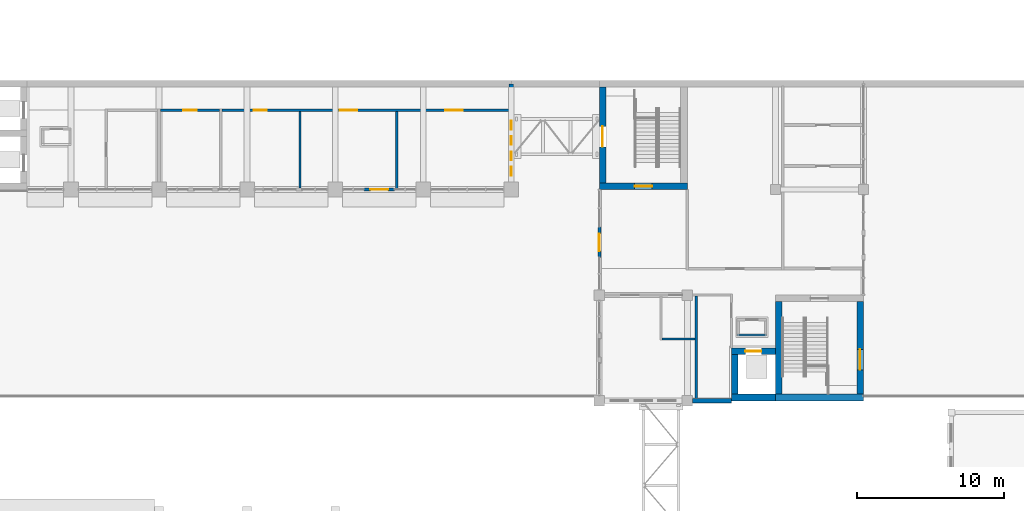
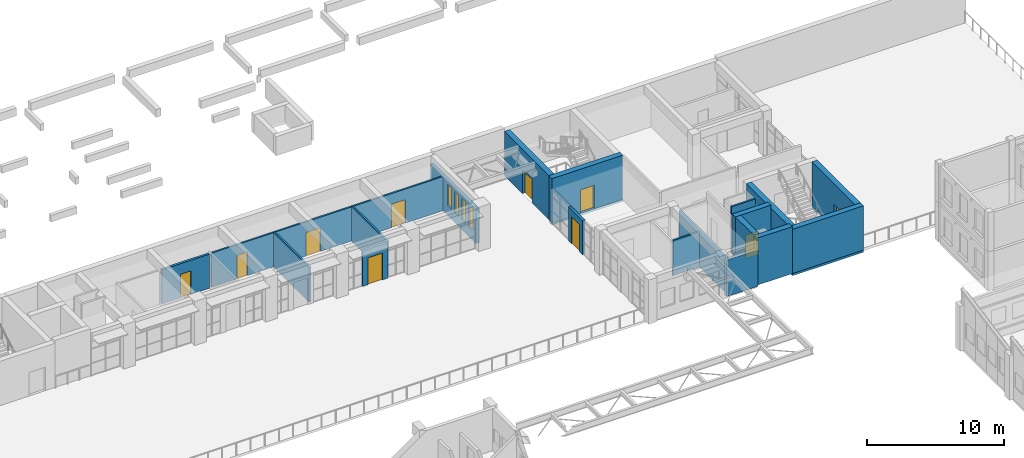
# One storey, part 70 of 103: 23 walls, 10 doors, 4 windows, 14 openings.
"""IFC4 building model written with IfcOpenShell, lengths in metres."""

from ifc_helpers import new_model, si_unit, direction, frame, frame_2d, origin, place, context, subcontext, project, spatial, rectangle, extrude, material, layer, layer_set, type_object, element, fill, save


model = new_model("IFC4")

# Units and contexts
model_context = context("Model", 3, precision=1e-05, world=origin(), true_north=direction((0.0, 1.0)))
body_context = subcontext(model_context, "Body", "Model", "MODEL_VIEW")
ifc_project = project(units=[si_unit("LENGTHUNIT", "METRE"), si_unit("AREAUNIT", "SQUARE_METRE"), si_unit("VOLUMEUNIT", "CUBIC_METRE"), si_unit("PLANEANGLEUNIT", "RADIAN"), si_unit("MASSUNIT", "GRAM", prefix="KILO")], contexts=[model_context])

# Site, building, storey
site_placement = place(None, origin())
site = spatial("IfcSite", under=ifc_project, at=site_placement, CompositionType="ELEMENT")
building_placement = place(site_placement, origin())
building = spatial("IfcBuilding", under=site, at=building_placement, Name="Laocheng Heights Fire and Rescue Headquarters", CompositionType="ELEMENT")
storey_placement = place(building_placement, frame((0.0, 0.0, 4.199951171875)))
storey = spatial("IfcBuildingStorey", under=building, at=storey_placement, Name="L01", CompositionType="ELEMENT", Elevation=4.199951171875)

# Walls
ifc_material_1 = material(Name="Gypsum plaster")
ifc_layer_1 = layer(ifc_material_1, 0.010009765625, Name="PLASTER", Category="plaster")
ifc_material_2 = material(Name="Concrete blockwork MU10", Category="masonry")
ifc_layer_2 = layer(ifc_material_2, 0.1298828125, Name="BLOCKWORK", Category="masonry")
ifc_layer_3 = layer(ifc_material_1, 0.010009765625, Name="PLASTER", Category="plaster")
ifc_layer_set_1 = layer_set([ifc_layer_1, ifc_layer_2, ifc_layer_3], Name="Concrete blockwork MU10")
wall_type_1 = type_object("IfcWallType", Name="BLOCKWORK CORRIDOR WALL 150 EI 60 CREW WING", PredefinedType="PARTITIONING", material=ifc_layer_set_1)
wall_1_placement = place(storey_placement, frame((96.60009765625, 36.14990234375, 0.0), z_axis=(0.0, 0.0, 1.0), x_axis=(0.0, 1.0, 0.0)))
element("IfcWall", 1, at=wall_1_placement, inside=storey, type_object=wall_type_1, Name="Partition L01-003", PredefinedType="PARTITIONING", context=body_context, shape_type="SweptSolid", body=[
    extrude(rectangle(XDim=6.97509765625, YDim=0.14990234375, at=frame_2d((3.487548828125, 0.0))), origin(), (0.0, 0.0, 1.0), 3.25),
])
wall_2_placement = place(storey_placement, frame((94.27490234375, 40.199951171875, 0.0), z_axis=(0.0, 0.0, 1.0), x_axis=(1.0, 0.0, 0.0)))
element("IfcWall", 2, at=wall_2_placement, inside=storey, type_object=wall_type_1, Name="Partition L01-006", PredefinedType="PARTITIONING", context=body_context, shape_type="SweptSolid", body=[
    extrude(rectangle(XDim=2.25, YDim=0.14990234375, at=frame_2d((1.125, 0.0))), origin(), (0.0, 0.0, 1.0), 3.150146484375),
])
ifc_material_3 = material(Name="Gypsum plaster")
ifc_layer_4 = layer(ifc_material_3, 0.010009765625, Name="PLASTER", Category="plaster")
ifc_material_4 = material(Name="Concrete blockwork MU10", Category="masonry")
ifc_layer_5 = layer(ifc_material_4, 0.1298828125, Name="BLOCKWORK", Category="masonry")
ifc_layer_6 = layer(ifc_material_3, 0.010009765625, Name="PLASTER", Category="plaster")
ifc_layer_set_2 = layer_set([ifc_layer_4, ifc_layer_5, ifc_layer_6], Name="Concrete blockwork MU10")
wall_type_2 = type_object("IfcWallType", Name="BLOCKWORK CORRIDOR WALL 150 EI 60 HQ WING", PredefinedType="PARTITIONING", material=ifc_layer_set_2)
wall_3_placement = place(storey_placement, frame((69.60009765625, 50.5, 0.0), z_axis=(0.0, 0.0, 1.0), x_axis=(0.0, 1.0, 0.0)))
element("IfcWall", 3, at=wall_3_placement, inside=storey, type_object=wall_type_2, Name="Partition L01-005", PredefinedType="PARTITIONING", context=body_context, shape_type="SweptSolid", body=[
    extrude(rectangle(XDim=5.22509765625, YDim=0.14990234375, at=frame_2d((2.612548828125, 0.0))), origin(), (0.0, 0.0, 1.0), 3.150146484375),
])
wall_4_placement = place(storey_placement, frame((76.199951171875, 50.47509765625, 0.0), z_axis=(0.0, 0.0, 1.0), x_axis=(0.0, 1.0, 0.0)))
element("IfcWall", 4, at=wall_4_placement, inside=storey, type_object=wall_type_2, Name="Partition L01-006", PredefinedType="PARTITIONING", context=body_context, shape_type="SweptSolid", body=[
    extrude(rectangle(XDim=5.25, YDim=0.14990234375, at=frame_2d((2.625, 0.0))), origin(), (0.0, 0.0, 1.0), 3.150146484375),
])

# Wall, openings, doors
wall_5_placement = place(storey_placement, frame((64.300048828125, 55.800048828125, 0.0), z_axis=(0.0, 0.0, 1.0), x_axis=(1.0, 0.0, 0.0)))
wall_5 = element("IfcWall", 5, at=wall_5_placement, inside=storey, type_object=wall_type_2, Name="Partition L01-010", PredefinedType="PARTITIONING", context=body_context, shape_type="SweptSolid", body=[
    extrude(rectangle(XDim=19.550048828125, YDim=0.14990234375, at=frame_2d((9.77490234375, 0.0))), origin(), (0.0, 0.0, 1.0), 3.050048828125),
])
opening_1_placement = place(wall_5_placement, frame((2.14990234375, 0.0, 0.0)))
opening_1 = element("IfcOpeningElement", 6, at=opening_1_placement, cuts=wall_5, Name="Opening L01-Y04", PredefinedType="OPENING", context=body_context, shape_type="SweptSolid", body=[
    extrude(rectangle(XDim=0.89990234375, YDim=2.10009765625, at=frame_2d((0.449951171875, 1.050048828125))), frame((0.0, 0.0849609375, 0.0), z_axis=(0.0, -1.0, 0.0), x_axis=(1.0, 0.0, 0.0)), (0.0, 0.0, 1.0), 0.169921875),
])
opening_2_placement = place(wall_5_placement, frame((8.0, 0.0, 0.0)))
opening_2 = element("IfcOpeningElement", 7, at=opening_2_placement, cuts=wall_5, Name="Opening L01-Y05", PredefinedType="OPENING", context=body_context, shape_type="SweptSolid", body=[
    extrude(rectangle(XDim=1.199951171875, YDim=2.10009765625, at=frame_2d((0.60009765625, 1.050048828125))), frame((0.0, 0.0849609375, 0.0), z_axis=(0.0, -1.0, 0.0), x_axis=(1.0, 0.0, 0.0)), (0.0, 0.0, 1.0), 0.169921875),
])
opening_3_placement = place(wall_5_placement, frame((15.199951171875, 0.0, 0.0)))
opening_3 = element("IfcOpeningElement", 8, at=opening_3_placement, cuts=wall_5, Name="Opening L01-Y06", PredefinedType="OPENING", context=body_context, shape_type="SweptSolid", body=[
    extrude(rectangle(XDim=1.199951171875, YDim=2.10009765625, at=frame_2d((0.60009765625, 1.050048828125))), frame((0.0, 0.0849609375, 0.0), z_axis=(0.0, -1.0, 0.0), x_axis=(1.0, 0.0, 0.0)), (0.0, 0.0, 1.0), 0.169921875),
])
ifc_material_5 = material(Name="Timber door leaf, veneered", Category="wood")
door_type_1 = type_object("IfcDoorType", Name="TIMBER DOOR 1200x2100 EI 30 HQ WING", OperationType="SINGLE_SWING_LEFT", PredefinedType="DOOR", material=ifc_material_5)
door_1_placement = place(opening_2_placement, frame((1.199951171875, 0.0, 0.0), z_axis=(0.0, 0.0, 1.0), x_axis=(-1.0, 0.0, 0.0)))
door_1 = element("IfcDoor", 9, at=door_1_placement, inside=storey, type_object=door_type_1, Name="Door L01-Y05", OperationType="SINGLE_SWING_RIGHT", OverallHeight=2.10009765625, OverallWidth=1.199951171875, PredefinedType="DOOR", context=body_context, shape_type="SweptSolid", body=[
    extrude(rectangle(XDim=1.199951171875, YDim=2.10009765625, at=frame_2d((0.60009765625, 1.050048828125))), frame((0.0, 0.02490234375, 0.0), z_axis=(0.0, -1.0, 0.0), x_axis=(1.0, 0.0, 0.0)), (0.0, 0.0, 1.0), 0.050048828125),
])
fill(opening_2, door_1)
door_2_placement = place(opening_3_placement, frame((1.199951171875, 0.0, 0.0), z_axis=(0.0, 0.0, 1.0), x_axis=(-1.0, 0.0, 0.0)))
door_2 = element("IfcDoor", 10, at=door_2_placement, inside=storey, type_object=door_type_1, Name="Door L01-Y06", OperationType="SINGLE_SWING_RIGHT", OverallHeight=2.10009765625, OverallWidth=1.199951171875, PredefinedType="DOOR", context=body_context, shape_type="SweptSolid", body=[
    extrude(rectangle(XDim=1.199951171875, YDim=2.10009765625, at=frame_2d((0.60009765625, 1.050048828125))), frame((0.0, 0.02490234375, 0.0), z_axis=(0.0, -1.0, 0.0), x_axis=(1.0, 0.0, 0.0)), (0.0, 0.0, 1.0), 0.050048828125),
])
fill(opening_3, door_2)
ifc_material_6 = material(Name="Timber door leaf, veneered", Category="wood")
door_type_2 = type_object("IfcDoorType", Name="TIMBER DOOR 900x2100 EI 30 HQ WING", OperationType="SINGLE_SWING_LEFT", PredefinedType="DOOR", material=ifc_material_6)
door_3_placement = place(opening_1_placement, frame((0.89990234375, 0.0, 0.0), z_axis=(0.0, 0.0, 1.0), x_axis=(-1.0, 0.0, 0.0)))
door_3 = element("IfcDoor", 11, at=door_3_placement, inside=storey, type_object=door_type_2, Name="Door L01-Y04", OperationType="SINGLE_SWING_RIGHT", OverallHeight=2.10009765625, OverallWidth=0.89990234375, PredefinedType="DOOR", context=body_context, shape_type="SweptSolid", body=[
    extrude(rectangle(XDim=0.89990234375, YDim=2.10009765625, at=frame_2d((0.449951171875, 1.050048828125))), frame((0.0, 0.02490234375, 0.0), z_axis=(0.0, -1.0, 0.0), x_axis=(1.0, 0.0, 0.0)), (0.0, 0.0, 1.0), 0.050048828125),
])
fill(opening_1, door_3)

# Wall, opening, door
ifc_material_7 = material(Name="Gypsum plaster")
ifc_layer_7 = layer(ifc_material_7, 0.010009765625, Name="PLASTER", Category="plaster")
ifc_material_8 = material(Name="Concrete blockwork MU10", Category="masonry")
ifc_layer_8 = layer(ifc_material_8, 0.179931640625, Name="BLOCKWORK", Category="masonry")
ifc_layer_9 = layer(ifc_material_7, 0.010009765625, Name="PLASTER", Category="plaster")
ifc_layer_set_3 = layer_set([ifc_layer_7, ifc_layer_8, ifc_layer_9], Name="Concrete blockwork MU10")
wall_type_3 = type_object("IfcWallType", Name="BLOCKWORK FIRE PARTITION 200 EI 120 HQ WING", PredefinedType="PARTITIONING", material=ifc_layer_set_3)
wall_6_placement = place(storey_placement, frame((60.10009765625, 55.800048828125, 0.0), z_axis=(0.0, 0.0, 1.0), x_axis=(1.0, 0.0, 0.0)))
wall_6 = element("IfcWall", 12, at=wall_6_placement, inside=storey, type_object=wall_type_3, Name="Partition L01-009", PredefinedType="PARTITIONING", context=body_context, shape_type="SweptSolid", body=[
    extrude(rectangle(XDim=4.0, YDim=0.199951171875, at=frame_2d((2.0, 0.0))), origin(), (0.0, 0.0, 1.0), 3.050048828125),
])
opening_4_placement = place(wall_6_placement, frame((1.550048828125, 0.0, 0.0)))
opening_4 = element("IfcOpeningElement", 13, at=opening_4_placement, cuts=wall_6, Name="Opening L01-Y03", PredefinedType="OPENING", context=body_context, shape_type="SweptSolid", body=[
    extrude(rectangle(XDim=0.89990234375, YDim=2.10009765625, at=frame_2d((0.449951171875, 1.050048828125))), frame((0.0, 0.10986328125, 0.0), z_axis=(0.0, -1.0, 0.0), x_axis=(1.0, 0.0, 0.0)), (0.0, 0.0, 1.0), 0.219970703125),
])
ifc_material_9 = material(Name="Steel door leaf, painted", Category="steel")
door_type_3 = type_object("IfcDoorType", Name="STEEL FIRE DOOR 900x2100 EI 120 HQ WING", OperationType="SINGLE_SWING_LEFT", PredefinedType="DOOR", material=ifc_material_9)
door_4_placement = place(opening_4_placement, frame((0.89990234375, 0.0, 0.0), z_axis=(0.0, 0.0, 1.0), x_axis=(-1.0, 0.0, 0.0)))
door_4 = element("IfcDoor", 14, at=door_4_placement, inside=storey, type_object=door_type_3, Name="Door L01-Y03", OperationType="SINGLE_SWING_RIGHT", OverallHeight=2.10009765625, OverallWidth=0.89990234375, PredefinedType="DOOR", context=body_context, shape_type="SweptSolid", body=[
    extrude(rectangle(XDim=0.89990234375, YDim=2.10009765625, at=frame_2d((0.449951171875, 1.050048828125))), frame((0.0, 0.02490234375, 0.0), z_axis=(0.0, -1.0, 0.0), x_axis=(1.0, 0.0, 0.0)), (0.0, 0.0, 1.0), 0.050048828125),
])
fill(opening_4, door_4)

ifc_material_10 = material(Name="Precast concrete C40/50", Category="concrete")
ifc_layer_10 = layer(ifc_material_10, 0.199951171875)
ifc_layer_set_4 = layer_set([ifc_layer_10], Name="Precast concrete C40/50")
wall_type_4 = type_object("IfcWallType", Name="PRECAST ENTRANCE FRAME WALL 200", PredefinedType="SOLIDWALL", material=ifc_layer_set_4)
wall_7_placement = place(storey_placement, frame((73.949951171875, 50.39990234375, 0.0), z_axis=(0.0, 0.0, 1.0), x_axis=(1.0, 0.0, 0.0)))
wall_7 = element("IfcWall", 15, at=wall_7_placement, inside=storey, type_object=wall_type_4, Name="PRECAST ENTRANCE FRAME WALL HQ SOUTH L01", PredefinedType="SOLIDWALL", context=body_context, shape_type="SweptSolid", body=[
    extrude(rectangle(XDim=2.10009765625, YDim=0.199951171875, at=frame_2d((1.050048828125, 0.0))), origin(), (0.0, 0.0, 1.0), 3.150146484375),
])
opening_5_placement = place(wall_7_placement, frame((0.449951171875, 0.0, 0.0)))
opening_5 = element("IfcOpeningElement", 16, at=opening_5_placement, cuts=wall_7, Name="Opening L01-X04", PredefinedType="OPENING", context=body_context, shape_type="SweptSolid", body=[
    extrude(rectangle(XDim=1.199951171875, YDim=2.39990234375, at=frame_2d((0.60009765625, 1.199951171875))), frame((0.0, 0.10986328125, 0.0), z_axis=(0.0, -1.0, 0.0), x_axis=(1.0, 0.0, 0.0)), (0.0, 0.0, 1.0), 0.219970703125),
])
ifc_material_11 = material(Name="Dark anodised aluminium framed glazed door, low-e glazing", Category="aluminium")
door_type_4 = type_object("IfcDoorType", Name="COURT LOBBY ENTRANCE DOOR 1200 x 2400", OperationType="SINGLE_SWING_LEFT", PredefinedType="DOOR", material=ifc_material_11)
door_5_placement = place(opening_5_placement, frame((1.199951171875, 0.0, 0.0), z_axis=(0.0, 0.0, 1.0), x_axis=(-1.0, 0.0, 0.0)))
door_5 = element("IfcDoor", 17, at=door_5_placement, inside=storey, type_object=door_type_4, Name="COURT LOBBY ENTRANCE DOOR HQ SOUTH L01", OperationType="SINGLE_SWING_LEFT", OverallHeight=2.39990234375, OverallWidth=1.199951171875, PredefinedType="DOOR", context=body_context, shape_type="SweptSolid", body=[
    extrude(rectangle(XDim=1.199951171875, YDim=2.39990234375, at=frame_2d((0.60009765625, 1.199951171875))), frame((0.0, 0.02490234375, 0.0), z_axis=(0.0, -1.0, 0.0), x_axis=(1.0, 0.0, 0.0)), (0.0, 0.0, 1.0), 0.050048828125),
])
fill(opening_5, door_5)

ifc_material_12 = material(Name="Precast concrete C40/50", Category="concrete")
ifc_layer_11 = layer(ifc_material_12, 0.199951171875)
ifc_layer_set_5 = layer_set([ifc_layer_11], Name="Precast concrete C40/50")
wall_type_5 = type_object("IfcWallType", Name="PRECAST ENTRANCE FRAME WALL CREW 200", PredefinedType="SOLIDWALL", material=ifc_layer_set_5)
wall_8_placement = place(storey_placement, frame((90.0, 45.75, 0.0), z_axis=(0.0, 0.0, 1.0), x_axis=(0.0, 1.0, 0.0)))
wall_8 = element("IfcWall", 18, at=wall_8_placement, inside=storey, type_object=wall_type_5, Name="PRECAST ENTRANCE FRAME WALL CREW CREW WEST L01", PredefinedType="SOLIDWALL", context=body_context, shape_type="SweptSolid", body=[
    extrude(rectangle(XDim=2.10009765625, YDim=0.199951171875, at=frame_2d((1.050048828125, 0.0))), origin(), (0.0, 0.0, 1.0), 3.050048828125),
])
opening_6_placement = place(wall_8_placement, frame((0.449951171875, 0.0, 0.0)))
opening_6 = element("IfcOpeningElement", 19, at=opening_6_placement, cuts=wall_8, Name="Opening L01-W02", PredefinedType="OPENING", context=body_context, shape_type="SweptSolid", body=[
    extrude(rectangle(XDim=1.199951171875, YDim=2.39990234375, at=frame_2d((0.60009765625, 1.199951171875))), frame((0.0, 0.10986328125, 0.0), z_axis=(0.0, -1.0, 0.0), x_axis=(1.0, 0.0, 0.0)), (0.0, 0.0, 1.0), 0.219970703125),
])
ifc_material_13 = material(Name="Dark anodised aluminium framed glazed door, low-e glazing", Category="aluminium")
door_type_5 = type_object("IfcDoorType", Name="DAY ROOM COURT DOOR 1200 x 2400", OperationType="SINGLE_SWING_LEFT", PredefinedType="DOOR", material=ifc_material_13)
door_6_placement = place(opening_6_placement, origin())
door_6 = element("IfcDoor", 20, at=door_6_placement, inside=storey, type_object=door_type_5, Name="DAY ROOM COURT DOOR CREW WEST L01", OperationType="SINGLE_SWING_LEFT", OverallHeight=2.39990234375, OverallWidth=1.199951171875, PredefinedType="DOOR", context=body_context, shape_type="SweptSolid", body=[
    extrude(rectangle(XDim=1.199951171875, YDim=2.39990234375, at=frame_2d((0.60009765625, 1.199951171875))), frame((0.0, 0.02490234375, 0.0), z_axis=(0.0, -1.0, 0.0), x_axis=(1.0, 0.0, 0.0)), (0.0, 0.0, 1.0), 0.050048828125),
])
fill(opening_6, door_6)

# Wall, openings, windows
ifc_material_14 = material(Name="Precast concrete C40/50", Category="concrete")
ifc_layer_12 = layer(ifc_material_14, 0.300048828125)
ifc_layer_set_6 = layer_set([ifc_layer_12], Name="Precast concrete C40/50")
wall_type_6 = type_object("IfcWallType", Name="PRECAST WALL PANEL 300", PredefinedType="SOLIDWALL", material=ifc_layer_set_6)
wall_9_placement = place(storey_placement, frame((84.0, 50.89990234375, 0.0), z_axis=(0.0, 0.0, 1.0), x_axis=(0.0, 1.0, 0.0)))
wall_9 = element("IfcWall", 21, at=wall_9_placement, inside=storey, type_object=wall_type_6, Name="PRECAST WALL PANEL HQ EAST STRIP L01", PredefinedType="SOLIDWALL", context=body_context, shape_type="SweptSolid", body=[
    extrude(rectangle(XDim=6.7001953125, YDim=0.300048828125, at=frame_2d((3.35009765625, 0.0))), origin(), (0.0, 0.0, 1.0), 3.050048828125),
])
opening_7_placement = place(wall_9_placement, frame((0.444091796875, 0.0, 0.89990234375)))
opening_7 = element("IfcOpeningElement", 22, at=opening_7_placement, cuts=wall_9, Name="Opening N1-X", PredefinedType="OPENING", context=body_context, shape_type="SweptSolid", body=[
    extrude(rectangle(XDim=0.60009765625, YDim=1.89990234375, at=frame_2d((0.300048828125, 0.949951171875))), frame((0.0, 0.159912109375, 0.0), z_axis=(0.0, -1.0, 0.0), x_axis=(1.0, 0.0, 0.0)), (0.0, 0.0, 1.0), 0.320068359375),
])
opening_8_placement = place(wall_9_placement, frame((1.488037109375, 0.0, 0.89990234375)))
opening_8 = element("IfcOpeningElement", 23, at=opening_8_placement, cuts=wall_9, Name="Opening N1-X", PredefinedType="OPENING", context=body_context, shape_type="SweptSolid", body=[
    extrude(rectangle(XDim=0.60009765625, YDim=1.89990234375, at=frame_2d((0.300048828125, 0.949951171875))), frame((0.0, 0.159912109375, 0.0), z_axis=(0.0, -1.0, 0.0), x_axis=(1.0, 0.0, 0.0)), (0.0, 0.0, 1.0), 0.320068359375),
])
opening_9_placement = place(wall_9_placement, frame((2.531982421875, 0.0, 0.89990234375)))
opening_9 = element("IfcOpeningElement", 24, at=opening_9_placement, cuts=wall_9, Name="Opening N1-X", PredefinedType="OPENING", context=body_context, shape_type="SweptSolid", body=[
    extrude(rectangle(XDim=0.60009765625, YDim=1.89990234375, at=frame_2d((0.300048828125, 0.949951171875))), frame((0.0, 0.159912109375, 0.0), z_axis=(0.0, -1.0, 0.0), x_axis=(1.0, 0.0, 0.0)), (0.0, 0.0, 1.0), 0.320068359375),
])
opening_10_placement = place(wall_9_placement, frame((3.575927734375, 0.0, 0.89990234375)))
opening_10 = element("IfcOpeningElement", 25, at=opening_10_placement, cuts=wall_9, Name="Opening N1-X", PredefinedType="OPENING", context=body_context, shape_type="SweptSolid", body=[
    extrude(rectangle(XDim=0.60009765625, YDim=1.89990234375, at=frame_2d((0.300048828125, 0.949951171875))), frame((0.0, 0.159912109375, 0.0), z_axis=(0.0, -1.0, 0.0), x_axis=(1.0, 0.0, 0.0)), (0.0, 0.0, 1.0), 0.320068359375),
])
ifc_material_15 = material(Name="Low-e double glazing in aluminium frame", Category="aluminium")
window_type = type_object("IfcWindowType", Name="WINDOW 600 x 1900 HQ END SLOT", PartitioningType="SINGLE_PANEL", PredefinedType="WINDOW", material=ifc_material_15)
window_1_placement = place(opening_7_placement, origin())
window_1 = element("IfcWindow", 26, at=window_1_placement, inside=storey, type_object=window_type, Name="HQ END SLOT HQ EAST STRIP L01", OverallHeight=1.89990234375, OverallWidth=0.60009765625, PartitioningType="SINGLE_PANEL", PredefinedType="WINDOW", context=body_context, shape_type="SweptSolid", body=[
    extrude(rectangle(XDim=0.60009765625, YDim=1.89990234375, at=frame_2d((0.300048828125, 0.949951171875))), frame((0.0, 0.030029296875, 0.0), z_axis=(0.0, -1.0, 0.0), x_axis=(1.0, 0.0, 0.0)), (0.0, 0.0, 1.0), 0.06005859375),
])
fill(opening_7, window_1)
window_2_placement = place(opening_8_placement, origin())
window_2 = element("IfcWindow", 27, at=window_2_placement, inside=storey, type_object=window_type, Name="HQ END SLOT HQ EAST STRIP L01", OverallHeight=1.89990234375, OverallWidth=0.60009765625, PartitioningType="SINGLE_PANEL", PredefinedType="WINDOW", context=body_context, shape_type="SweptSolid", body=[
    extrude(rectangle(XDim=0.60009765625, YDim=1.89990234375, at=frame_2d((0.300048828125, 0.949951171875))), frame((0.0, 0.030029296875, 0.0), z_axis=(0.0, -1.0, 0.0), x_axis=(1.0, 0.0, 0.0)), (0.0, 0.0, 1.0), 0.06005859375),
])
fill(opening_8, window_2)
window_3_placement = place(opening_9_placement, origin())
window_3 = element("IfcWindow", 28, at=window_3_placement, inside=storey, type_object=window_type, Name="HQ END SLOT HQ EAST STRIP L01", OverallHeight=1.89990234375, OverallWidth=0.60009765625, PartitioningType="SINGLE_PANEL", PredefinedType="WINDOW", context=body_context, shape_type="SweptSolid", body=[
    extrude(rectangle(XDim=0.60009765625, YDim=1.89990234375, at=frame_2d((0.300048828125, 0.949951171875))), frame((0.0, 0.030029296875, 0.0), z_axis=(0.0, -1.0, 0.0), x_axis=(1.0, 0.0, 0.0)), (0.0, 0.0, 1.0), 0.06005859375),
])
fill(opening_9, window_3)
window_4_placement = place(opening_10_placement, origin())
window_4 = element("IfcWindow", 29, at=window_4_placement, inside=storey, type_object=window_type, Name="HQ END SLOT HQ EAST STRIP L01", OverallHeight=1.89990234375, OverallWidth=0.60009765625, PartitioningType="SINGLE_PANEL", PredefinedType="WINDOW", context=body_context, shape_type="SweptSolid", body=[
    extrude(rectangle(XDim=0.60009765625, YDim=1.89990234375, at=frame_2d((0.300048828125, 0.949951171875))), frame((0.0, 0.030029296875, 0.0), z_axis=(0.0, -1.0, 0.0), x_axis=(1.0, 0.0, 0.0)), (0.0, 0.0, 1.0), 0.06005859375),
])
fill(opening_10, window_4)

# Walls
ifc_material_16 = material(Name="Precast concrete C40/50", Category="concrete")
ifc_layer_13 = layer(ifc_material_16, 0.300048828125)
ifc_layer_set_7 = layer_set([ifc_layer_13], Name="Precast concrete C40/50")
wall_type_7 = type_object("IfcWallType", Name="PRECAST WALL PANEL CREW 300", PredefinedType="SOLIDWALL", material=ifc_layer_set_7)
wall_10_placement = place(storey_placement, frame((96.35009765625, 36.0, 0.0), z_axis=(0.0, 0.0, 1.0), x_axis=(1.0, 0.0, 0.0)))
element("IfcWall", 30, at=wall_10_placement, inside=storey, type_object=wall_type_7, Name="PRECAST WALL PANEL CREW CREW SOUTH L01", PredefinedType="SOLIDWALL", context=body_context, shape_type="SweptSolid", body=[
    extrude(rectangle(XDim=2.64990234375, YDim=0.300048828125, at=frame_2d((1.324951171875, 0.0))), origin(), (0.0, 0.0, 1.0), 3.25),
])
ifc_material_17 = material(Name="Concrete C50", Category="concrete")
ifc_layer_14 = layer(ifc_material_17, 0.449951171875)
ifc_layer_set_8 = layer_set([ifc_layer_14], Name="Concrete C50")
wall_type_8 = type_object("IfcWallType", Name="RC LIFT SHAFT WALL 450", PredefinedType="SHEAR", material=ifc_layer_set_8)
wall_11_placement = place(storey_placement, frame((99.0, 36.22509765625, 0.0), z_axis=(0.0, 0.0, 1.0), x_axis=(1.0, 0.0, 0.0)))
element("IfcWall", 31, at=wall_11_placement, inside=storey, type_object=wall_type_8, Name="Lift shaft wall", PredefinedType="SHEAR", context=body_context, shape_type="SweptSolid", body=[
    extrude(rectangle(XDim=3.0, YDim=0.449951171875, at=frame_2d((1.5, 0.0))), origin(), (0.0, 0.0, 1.0), 4.199951171875),
])

# Wall, opening, door
wall_12_placement = place(storey_placement, frame((99.0, 39.375, 0.0), z_axis=(0.0, 0.0, 1.0), x_axis=(1.0, 0.0, 0.0)))
wall_12 = element("IfcWall", 32, at=wall_12_placement, inside=storey, type_object=wall_type_8, Name="Lift shaft wall", PredefinedType="SHEAR", context=body_context, shape_type="SweptSolid", body=[
    extrude(rectangle(XDim=3.0, YDim=0.449951171875, at=frame_2d((1.5, 0.0))), origin(), (0.0, 0.0, 1.0), 4.199951171875),
])
opening_11_placement = place(wall_12_placement, frame((0.949951171875, 0.0, 0.0)))
opening_11 = element("IfcOpeningElement", 33, at=opening_11_placement, cuts=wall_12, Name="Opening L01-K18", PredefinedType="OPENING", context=body_context, shape_type="SweptSolid", body=[
    extrude(rectangle(XDim=1.10009765625, YDim=2.10009765625, at=frame_2d((0.550048828125, 1.050048828125))), frame((0.0, 0.23486328125, 0.0), z_axis=(0.0, -1.0, 0.0), x_axis=(1.0, 0.0, 0.0)), (0.0, 0.0, 1.0), 0.469970703125),
])
ifc_material_18 = material(Name="Stainless steel", Category="steel")
door_type_6 = type_object("IfcDoorType", Name="LANDING DOOR C-L1 SLIDING 1100x2100 E 120", OperationType="DOUBLE_DOOR_SLIDING", PredefinedType="DOOR", material=ifc_material_18)
door_7_placement = place(opening_11_placement, origin())
door_7 = element("IfcDoor", 34, at=door_7_placement, inside=storey, type_object=door_type_6, Name="Landing door C-L1", OperationType="DOUBLE_DOOR_SLIDING", OverallHeight=2.10009765625, OverallWidth=1.10009765625, PredefinedType="DOOR", context=body_context, shape_type="SweptSolid", body=[
    extrude(rectangle(XDim=1.10009765625, YDim=2.10009765625, at=frame_2d((0.550048828125, 1.050048828125))), frame((0.0, 0.02490234375, 0.0), z_axis=(0.0, -1.0, 0.0), x_axis=(1.0, 0.0, 0.0)), (0.0, 0.0, 1.0), 0.050048828125),
])
fill(opening_11, door_7)

# Walls
wall_13_placement = place(storey_placement, frame((99.22509765625, 36.449951171875, 0.0), z_axis=(0.0, 0.0, 1.0), x_axis=(0.0, 1.0, 0.0)))
element("IfcWall", 35, at=wall_13_placement, inside=storey, type_object=wall_type_8, Name="Lift shaft wall", PredefinedType="SHEAR", context=body_context, shape_type="SweptSolid", body=[
    extrude(rectangle(XDim=2.699951171875, YDim=0.449951171875, at=frame_2d((1.35009765625, 0.0))), origin(), (0.0, 0.0, 1.0), 4.199951171875),
])
ifc_material_19 = material(Name="Concrete C50", Category="concrete")
ifc_layer_15 = layer(ifc_material_19, 0.449951171875)
ifc_layer_set_9 = layer_set([ifc_layer_15], Name="Concrete C50")
wall_type_9 = type_object("IfcWallType", Name="RC STAIR ENCLOSURE WALL 450", PredefinedType="SHEAR", material=ifc_layer_set_9)
wall_14_placement = place(storey_placement, frame((102.0, 36.22509765625, 0.0), z_axis=(0.0, 0.0, 1.0), x_axis=(1.0, 0.0, 0.0)))
element("IfcWall", 36, at=wall_14_placement, inside=storey, type_object=wall_type_9, Name="Stair enclosure wall", PredefinedType="SHEAR", context=body_context, shape_type="SweptSolid", body=[
    extrude(rectangle(XDim=6.0, YDim=0.449951171875, at=frame_2d((3.0, 0.0))), origin(), (0.0, 0.0, 1.0), 3.949951171875),
])
wall_15_placement = place(storey_placement, frame((102.22509765625, 36.449951171875, 0.0), z_axis=(0.0, 0.0, 1.0), x_axis=(0.0, 1.0, 0.0)))
element("IfcWall", 37, at=wall_15_placement, inside=storey, type_object=wall_type_9, Name="Stair enclosure wall", PredefinedType="SHEAR", context=body_context, shape_type="SweptSolid", body=[
    extrude(rectangle(XDim=6.300048828125, YDim=0.449951171875, at=frame_2d((3.14990234375, 0.0))), origin(), (0.0, 0.0, 1.0), 3.949951171875),
])

# Wall, opening, door
wall_16_placement = place(storey_placement, frame((107.77490234375, 36.449951171875, 0.0), z_axis=(0.0, 0.0, 1.0), x_axis=(0.0, 1.0, 0.0)))
wall_16 = element("IfcWall", 38, at=wall_16_placement, inside=storey, type_object=wall_type_9, Name="Stair enclosure wall", PredefinedType="SHEAR", context=body_context, shape_type="SweptSolid", body=[
    extrude(rectangle(XDim=6.300048828125, YDim=0.449951171875, at=frame_2d((3.14990234375, 0.0))), origin(), (0.0, 0.0, 1.0), 3.949951171875),
])
opening_12_placement = place(wall_16_placement, frame((1.64990234375, 0.0, 0.0)))
opening_12 = element("IfcOpeningElement", 39, at=opening_12_placement, cuts=wall_16, Name="Opening L01-K17", PredefinedType="OPENING", context=body_context, shape_type="SweptSolid", body=[
    extrude(rectangle(XDim=1.39990234375, YDim=2.10009765625, at=frame_2d((0.699951171875, 1.050048828125))), frame((0.0, 0.23486328125, 0.0), z_axis=(0.0, -1.0, 0.0), x_axis=(1.0, 0.0, 0.0)), (0.0, 0.0, 1.0), 0.469970703125),
])
ifc_material_20 = material(Name="Painted steel", Category="steel")
door_type_7 = type_object("IfcDoorType", Name="STAIR EXIT DOOR 1400x2100 EI 60", OperationType="DOUBLE_DOOR_SINGLE_SWING", PredefinedType="DOOR", material=ifc_material_20)
door_8_placement = place(opening_12_placement, frame((1.39990234375, 0.0, 0.0), z_axis=(0.0, 0.0, 1.0), x_axis=(-1.0, 0.0, 0.0)))
door_8 = element("IfcDoor", 40, at=door_8_placement, inside=storey, type_object=door_type_7, Name="Stair C1 exit door", OperationType="DOUBLE_DOOR_SINGLE_SWING", OverallHeight=2.10009765625, OverallWidth=1.39990234375, PredefinedType="DOOR", context=body_context, shape_type="SweptSolid", body=[
    extrude(rectangle(XDim=1.39990234375, YDim=2.10009765625, at=frame_2d((0.699951171875, 1.050048828125))), frame((0.0, 0.02490234375, 0.0), z_axis=(0.0, -1.0, 0.0), x_axis=(1.0, 0.0, 0.0)), (0.0, 0.0, 1.0), 0.050048828125),
])
fill(opening_12, door_8)

wall_17_placement = place(storey_placement, frame((90.0, 50.625, 0.0), z_axis=(0.0, 0.0, 1.0), x_axis=(1.0, 0.0, 0.0)))
wall_17 = element("IfcWall", 41, at=wall_17_placement, inside=storey, type_object=wall_type_9, Name="Stair enclosure wall", PredefinedType="SHEAR", context=body_context, shape_type="SweptSolid", body=[
    extrude(rectangle(XDim=6.0, YDim=0.449951171875, at=frame_2d((3.0, 0.0))), origin(), (0.0, 0.0, 1.0), 3.949951171875),
])
opening_13_placement = place(wall_17_placement, frame((2.39990234375, 0.0, 0.0)))
opening_13 = element("IfcOpeningElement", 42, at=opening_13_placement, cuts=wall_17, Name="Opening L01-K20", PredefinedType="OPENING", context=body_context, shape_type="SweptSolid", body=[
    extrude(rectangle(XDim=1.199951171875, YDim=2.10009765625, at=frame_2d((0.60009765625, 1.050048828125))), frame((0.0, 0.23486328125, 0.0), z_axis=(0.0, -1.0, 0.0), x_axis=(1.0, 0.0, 0.0)), (0.0, 0.0, 1.0), 0.469970703125),
])
ifc_material_21 = material(Name="Painted steel", Category="steel")
door_type_8 = type_object("IfcDoorType", Name="FIRE DOOR 1200x2100 EI 60", OperationType="SINGLE_SWING_LEFT", PredefinedType="DOOR", material=ifc_material_21)
door_9_placement = place(opening_13_placement, frame((1.199951171875, 0.0, 0.0), z_axis=(0.0, 0.0, 1.0), x_axis=(-1.0, 0.0, 0.0)))
door_9 = element("IfcDoor", 43, at=door_9_placement, inside=storey, type_object=door_type_8, Name="Stair C2 door", OperationType="SINGLE_SWING_LEFT", OverallHeight=2.10009765625, OverallWidth=1.199951171875, PredefinedType="DOOR", context=body_context, shape_type="SweptSolid", body=[
    extrude(rectangle(XDim=1.199951171875, YDim=2.10009765625, at=frame_2d((0.60009765625, 1.050048828125))), frame((0.0, 0.02490234375, 0.0), z_axis=(0.0, -1.0, 0.0), x_axis=(1.0, 0.0, 0.0)), (0.0, 0.0, 1.0), 0.050048828125),
])
fill(opening_13, door_9)

wall_18_placement = place(storey_placement, frame((90.22509765625, 50.85009765625, 0.0), z_axis=(0.0, 0.0, 1.0), x_axis=(0.0, 1.0, 0.0)))
wall_18 = element("IfcWall", 44, at=wall_18_placement, inside=storey, type_object=wall_type_9, Name="Stair enclosure wall", PredefinedType="SHEAR", context=body_context, shape_type="SweptSolid", body=[
    extrude(rectangle(XDim=6.52490234375, YDim=0.449951171875, at=frame_2d((3.262451171875, 0.0))), origin(), (0.0, 0.0, 1.0), 3.949951171875),
])
opening_14_placement = place(wall_18_placement, frame((2.449951171875, 0.0, 0.0)))
opening_14 = element("IfcOpeningElement", 45, at=opening_14_placement, cuts=wall_18, Name="Opening L01-K21", PredefinedType="OPENING", context=body_context, shape_type="SweptSolid", body=[
    extrude(rectangle(XDim=1.39990234375, YDim=2.10009765625, at=frame_2d((0.699951171875, 1.050048828125))), frame((0.0, 0.23486328125, 0.0), z_axis=(0.0, -1.0, 0.0), x_axis=(1.0, 0.0, 0.0)), (0.0, 0.0, 1.0), 0.469970703125),
])
door_10_placement = place(opening_14_placement, origin())
door_10 = element("IfcDoor", 46, at=door_10_placement, inside=storey, type_object=door_type_7, Name="Stair C2 exit door", OperationType="DOUBLE_DOOR_SINGLE_SWING", OverallHeight=2.10009765625, OverallWidth=1.39990234375, PredefinedType="DOOR", context=body_context, shape_type="SweptSolid", body=[
    extrude(rectangle(XDim=1.39990234375, YDim=2.10009765625, at=frame_2d((0.699951171875, 1.050048828125))), frame((0.0, 0.02490234375, 0.0), z_axis=(0.0, -1.0, 0.0), x_axis=(1.0, 0.0, 0.0)), (0.0, 0.0, 1.0), 0.050048828125),
])
fill(opening_14, door_10)

# Walls
ifc_material_22 = material(Name="Concrete C30", Category="concrete")
ifc_layer_16 = layer(ifc_material_22, 0.14990234375)
ifc_layer_set_10 = layer_set([ifc_layer_16], Name="Concrete C30")
wall_type_10 = type_object("IfcWallType", Name="RISER KERB WALL 150", PredefinedType="SOLIDWALL", material=ifc_layer_set_10)
wall_19_placement = place(storey_placement, frame((99.550048828125, 40.47509765625, -0.199951171875), z_axis=(0.0, 0.0, 1.0), x_axis=(1.0, 0.0, 0.0)))
element("IfcWall", 47, at=wall_19_placement, inside=storey, type_object=wall_type_10, Name="Riser kerb wall", PredefinedType="SOLIDWALL", context=body_context, shape_type="SweptSolid", body=[
    extrude(rectangle(XDim=1.699951171875, YDim=0.14990234375, at=frame_2d((0.85009765625, 0.0))), origin(), (0.0, 0.0, 1.0), 0.199951171875),
])
ifc_material_23 = material(Name="Concrete C30", Category="concrete")
ifc_layer_17 = layer(ifc_material_23, 0.14990234375)
ifc_layer_set_11 = layer_set([ifc_layer_17], Name="Concrete C30")
wall_type_11 = type_object("IfcWallType", Name="RISER SHAFT WALL 150", PredefinedType="SOLIDWALL", material=ifc_layer_set_11)
wall_20_placement = place(storey_placement, frame((99.39990234375, 40.47509765625, 0.0), z_axis=(0.0, 0.0, 1.0), x_axis=(1.0, 0.0, 0.0)))
element("IfcWall", 48, at=wall_20_placement, inside=storey, type_object=wall_type_11, Name="Riser shaft wall", PredefinedType="SOLIDWALL", context=body_context, shape_type="SweptSolid", body=[
    extrude(rectangle(XDim=2.0, YDim=0.14990234375, at=frame_2d((1.0, 0.0))), origin(), (0.0, 0.0, 1.0), 4.199951171875),
])
ifc_material_24 = material(Name="Concrete C40", Category="concrete")
ifc_layer_18 = layer(ifc_material_24, 0.449951171875)
ifc_layer_set_12 = layer_set([ifc_layer_18], Name="Concrete C40")
wall_type_12 = type_object("IfcWallType", Name="STAIR KERB WALL 450", PredefinedType="SOLIDWALL", material=ifc_layer_set_12)
wall_21_placement = place(storey_placement, frame((102.0, 36.22509765625, -0.199951171875), z_axis=(0.0, 0.0, 1.0), x_axis=(1.0, 0.0, 0.0)))
element("IfcWall", 49, at=wall_21_placement, inside=storey, type_object=wall_type_12, Name="Stair kerb wall", PredefinedType="SOLIDWALL", context=body_context, shape_type="SweptSolid", body=[
    extrude(rectangle(XDim=6.0, YDim=0.449951171875, at=frame_2d((3.0, 0.0))), origin(), (0.0, 0.0, 1.0), 0.199951171875),
])
wall_22_placement = place(storey_placement, frame((107.77490234375, 36.449951171875, -0.199951171875), z_axis=(0.0, 0.0, 1.0), x_axis=(0.0, 1.0, 0.0)))
element("IfcWall", 50, at=wall_22_placement, inside=storey, type_object=wall_type_12, Name="Stair kerb wall", PredefinedType="SOLIDWALL", context=body_context, shape_type="SweptSolid", body=[
    extrude(rectangle(XDim=6.300048828125, YDim=0.449951171875, at=frame_2d((3.14990234375, 0.0))), origin(), (0.0, 0.0, 1.0), 0.199951171875),
])
wall_23_placement = place(storey_placement, frame((90.0, 50.625, -0.199951171875), z_axis=(0.0, 0.0, 1.0), x_axis=(1.0, 0.0, 0.0)))
element("IfcWall", 51, at=wall_23_placement, inside=storey, type_object=wall_type_12, Name="Stair kerb wall", PredefinedType="SOLIDWALL", context=body_context, shape_type="SweptSolid", body=[
    extrude(rectangle(XDim=6.0, YDim=0.449951171875, at=frame_2d((3.0, 0.0))), origin(), (0.0, 0.0, 1.0), 0.199951171875),
])

save(model, "model.ifc")
